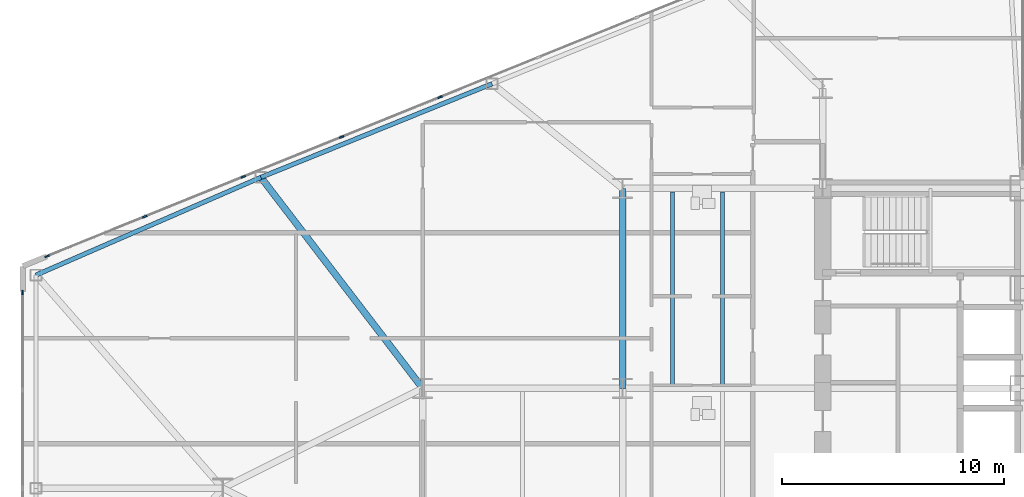
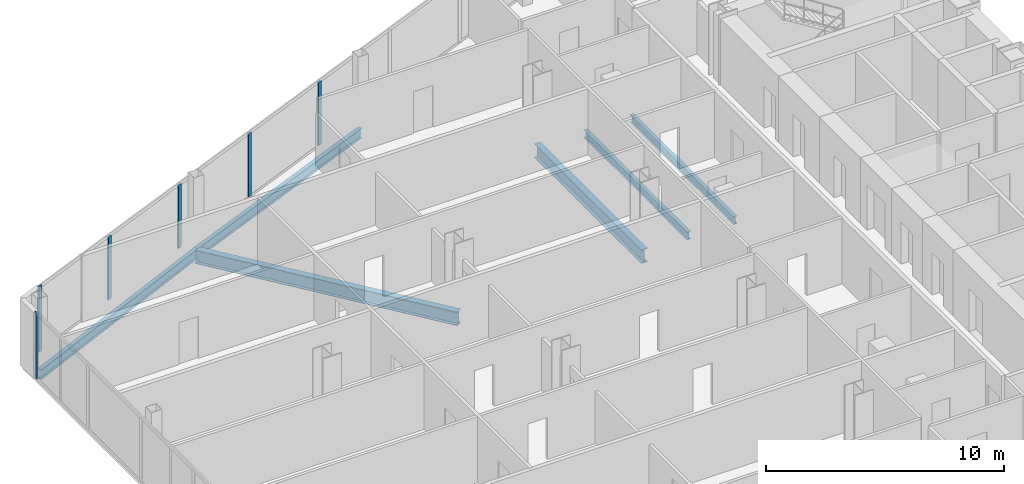
# One storey, part 6 of 25: 6 beams, 6 members, 2 elements without a shape of their own.
"""IFC4 building model written with IfcOpenShell, lengths in metres."""

from ifc_helpers import new_model, si_unit, direction, frame, origin, origin_2d, place, context, subcontext, project, spatial, rectangle, i_section, extrude, source, transform, mapped, material, layer, layer_set, material_profile, profile_set, type_object, type_shapes, element, aggregate, save


model = new_model("IFC4")

# Units and contexts
model_context = context("Model", 3, precision=1e-05, world=origin(), true_north=direction((0.0, 1.0)))
body_context = subcontext(model_context, "Body", "Model", "MODEL_VIEW")
ifc_project = project(units=[si_unit("LENGTHUNIT", "METRE"), si_unit("AREAUNIT", "SQUARE_METRE"), si_unit("VOLUMEUNIT", "CUBIC_METRE"), si_unit("PLANEANGLEUNIT", "RADIAN"), si_unit("MASSUNIT", "GRAM", prefix="KILO")], contexts=[model_context])

# Site, building, storey
site_placement = place(None, origin())
site = spatial("IfcSite", under=ifc_project, at=site_placement, CompositionType="ELEMENT")
building_placement = place(site_placement, origin())
building = spatial("IfcBuilding", under=site, at=building_placement, Name="Seokmaru Belvedere", CompositionType="ELEMENT")
storey_placement = place(building_placement, frame((0.0, 0.0, 29.699951171875)))
storey = spatial("IfcBuildingStorey", under=building, at=storey_placement, Name="L07", CompositionType="ELEMENT", Elevation=29.699951171875)

# Beams
ifc_material_1 = material(Name="Steel SM355 (355 MPa)", Category="steel")
ifc_material_profile_1 = material_profile(ifc_material_1, i_section(OverallWidth=0.300048828125, OverallDepth=0.699951171875, WebThickness=0.012939453125, FlangeThickness=0.02392578125, at=origin_2d()), Name="H-700x300x13x24")
ifc_profile_set_1 = profile_set([ifc_material_profile_1], Name="Steel SM355 (355 MPa)")
beam_type_1 = type_object("IfcBeamType", Name="Primary Floor Girder H-700", PredefinedType="BEAM", material=ifc_profile_set_1)
shared_shape_1 = source(origin(), body_context, "Body", "SweptSolid", [
    extrude(i_section(OverallWidth=0.300048828125, OverallDepth=0.699951171875, WebThickness=0.012939453125, FlangeThickness=0.02392578125, at=origin_2d()), origin(), (0.0, 0.0, 1.0), 9.0),
])
beam_1_placement = place(storey_placement, frame((-45.5, 4.5, -0.570068359375), z_axis=(0.0, 1.0, 0.0), x_axis=(-1.0, 0.0, 0.0)))
element("IfcBeam", 1, at=beam_1_placement, inside=storey, type_object=beam_type_1, Name="L07 W Interior Grid Girder 3", PredefinedType="BEAM", context=body_context, shape_type="MappedRepresentation", body=[
    mapped(shared_shape_1, transform((0.0, 0.0, 0.0), scale=1.0)),
])
ifc_material_profile_2 = material_profile(ifc_material_1, i_section(OverallWidth=0.18505859375, OverallDepth=0.389892578125, WebThickness=0.008056640625, FlangeThickness=0.011962890625, at=origin_2d()), Name="H-390x185x8x12")
ifc_profile_set_2 = profile_set([ifc_material_profile_2], Name="Steel SM355 (355 MPa)")
beam_type_2 = type_object("IfcBeamType", Name="Secondary Floor Joist H-350", PredefinedType="JOIST", material=ifc_profile_set_2)
shared_shape_2 = source(origin(), body_context, "Body", "SweptSolid", [
    extrude(i_section(OverallWidth=0.18505859375, OverallDepth=0.389892578125, WebThickness=0.008056640625, FlangeThickness=0.011962890625, at=origin_2d()), origin(), (0.0, 0.0, 1.0), 8.68994140625),
])
type_shapes(beam_type_2, [shared_shape_2])
for number, where, z_axis, x_axis, name in (
    (2, (-43.25, 4.655029296875, -0.4150390625), (0.0, 1.0, 0.0), (-1.0, 0.0, 0.0), "L07 W Wing Inner Secondary Joist 2"),
    (3, (-41.0, 4.655029296875, -0.4150390625), (0.0, 1.0, 0.0), (-1.0, 0.0, 0.0), "L07 W Secondary Floor Joist 3"),
):
    element("IfcBeam", number, at=place(storey_placement, frame(where, z_axis=z_axis, x_axis=x_axis)), inside=storey, type_object=beam_type_2, Name=name, PredefinedType="JOIST", context=body_context, shape_type="MappedRepresentation", body=[
        mapped(shared_shape_2, transform((0.0, 0.0, 0.0), scale=1.0)),
    ])
ifc_material_profile_3 = material_profile(ifc_material_1, i_section(OverallWidth=0.199951171875, OverallDepth=0.5, WebThickness=0.010009765625, FlangeThickness=0.01611328125, at=origin_2d()), Name="H-500x200x10x16")
ifc_profile_set_3 = profile_set([ifc_material_profile_3], Name="Steel SM355 (355 MPa)")
beam_type_3 = type_object("IfcBeamType", Name="Perimeter Spandrel Beam H-500", PredefinedType="SPANDREL", material=ifc_profile_set_3)
shared_shape_3 = source(origin(), body_context, "Body", "SweptSolid", [
    extrude(i_section(OverallWidth=0.199951171875, OverallDepth=0.5, WebThickness=0.010009765625, FlangeThickness=0.01611328125, at=origin_2d()), origin(), (0.0, 0.0, 1.0), 11.220703125),
])
beam_2_placement = place(storey_placement, frame((-51.378173828125, 18.2041015625, -0.469970703125), z_axis=(-0.926944290816, -0.375198989503, 0.0), x_axis=(0.375198989503, -0.926944290816, 0.0)))
element("IfcBeam", 4, at=beam_2_placement, inside=storey, type_object=beam_type_3, Name="L07 W Faceted Flank Spandrel N-3", PredefinedType="SPANDREL", context=body_context, shape_type="MappedRepresentation", body=[
    mapped(shared_shape_3, transform((0.0, 0.0, 0.0), scale=1.0)),
])
shared_shape_4 = source(origin(), body_context, "Body", "SweptSolid", [
    extrude(i_section(OverallWidth=0.199951171875, OverallDepth=0.5, WebThickness=0.010009765625, FlangeThickness=0.01611328125, at=origin_2d()), origin(), (0.0, 0.0, 1.0), 11.035400390625),
])
type_shapes(beam_type_3, [shared_shape_3, shared_shape_4])
beam_3_placement = place(storey_placement, frame((-61.779052734375, 13.994140625, -0.469970703125), z_axis=(-0.917134058682, -0.398578873507, 0.0), x_axis=(0.398578873507, -0.917134058682, 0.0)))
element("IfcBeam", 5, at=beam_3_placement, inside=storey, type_object=beam_type_3, Name="L07 W Faceted Flank Spandrel N-4", PredefinedType="SPANDREL", context=body_context, shape_type="MappedRepresentation", body=[
    mapped(shared_shape_4, transform((0.0, 0.0, 0.0), scale=1.0)),
])
shared_shape_5 = source(origin(), body_context, "Body", "SweptSolid", [
    extrude(i_section(OverallWidth=0.300048828125, OverallDepth=0.699951171875, WebThickness=0.012939453125, FlangeThickness=0.02392578125, at=origin_2d()), origin(), (0.0, 0.0, 1.0), 11.96337890625),
])
type_shapes(beam_type_1, [shared_shape_1, shared_shape_5])
beam_4_placement = place(storey_placement, frame((-61.779052734375, 13.994140625, -0.570068359375), z_axis=(0.608442682624, -0.793597821294, 0.0), x_axis=(0.793597821294, 0.608442682624, 0.0)))
element("IfcBeam", 6, at=beam_4_placement, inside=storey, type_object=beam_type_1, Name="L07 W Flank Radial Floor Girder N-3", PredefinedType="BEAM", context=body_context, shape_type="MappedRepresentation", body=[
    mapped(shared_shape_5, transform((0.0, 0.0, 0.0), scale=1.0)),
])

# Curtain wall, member
ifc_material_2 = material(Name="Bronze Triple Insulating Glass", Category="glass")
ifc_layer = layer(ifc_material_2, 0.2099609375)
ifc_layer_set = layer_set([ifc_layer], Name="Bronze Triple Insulating Glass")
curtain_wall_type = type_object("IfcCurtainWallType", Name="Low-Rise Faceted Crystal Curtain Wall System CW-2", PredefinedType="NOTDEFINED", material=ifc_layer_set)
curtain_wall_1_placement = place(storey_placement, origin())
curtain_wall_1 = element("IfcCurtainWall", 7, at=curtain_wall_1_placement, inside=storey, type_object=curtain_wall_type, Name="L07 Curtain Wall WF3", PredefinedType="NOTDEFINED")
ifc_material_3 = material(Name="Anodised Bronze Aluminium", Category="aluminium")
ifc_material_profile_4 = material_profile(ifc_material_3, rectangle(XDim=0.074951171875, YDim=0.2099609375, at=origin_2d()), Name="CW-M-75x210")
ifc_profile_set_4 = profile_set([ifc_material_profile_4], Name="Anodised Bronze Aluminium")
member_type = type_object("IfcMemberType", Name="Bronze Unitised Mullion 75x210", PredefinedType="MULLION", material=ifc_profile_set_4)
shared_shape_6 = source(origin(), body_context, "Body", "SweptSolid", [
    extrude(rectangle(XDim=0.074951171875, YDim=0.2099609375, at=origin_2d()), origin(), (0.0, 0.0, 1.0), 3.380126953125),
])
member_1_placement = place(storey_placement, frame((-71.399169921875, 10.445556640625, 0.0), z_axis=(0.0, 0.0, 1.0), x_axis=(0.375192321888, -0.926946989637, 0.0)))
member_1 = element("IfcMember", 8, at=member_1_placement, type_object=member_type, Name="CW:L07:WF3 Mullion 10", PredefinedType="MULLION", context=body_context, shape_type="MappedRepresentation", body=[
    mapped(shared_shape_6, transform((0.0, 0.0, 0.0), scale=1.0)),
])

curtain_wall_2_placement = place(storey_placement, origin())
curtain_wall_2 = element("IfcCurtainWall", 9, at=curtain_wall_2_placement, inside=storey, type_object=curtain_wall_type, Name="L07 Curtain Wall WF4", PredefinedType="NOTDEFINED")
member_2_placement = place(storey_placement, frame((-72.5, 8.8125, 0.0), z_axis=(0.0, 0.0, 1.0), x_axis=(1.0, 0.0, 0.0)))
member_2 = element("IfcMember", 10, at=member_2_placement, type_object=member_type, Name="CW:L07:WF4 Mullion 1", PredefinedType="MULLION", context=body_context, shape_type="MappedRepresentation", body=[
    mapped(shared_shape_6, transform((0.0, 0.0, 0.0), scale=1.0)),
])
aggregate(curtain_wall_2, [member_2])

# Member
shared_shape_7 = source(origin(), body_context, "Body", "SweptSolid", [
    extrude(rectangle(XDim=0.074951171875, YDim=0.2099609375, at=origin_2d()), origin(), (0.0, 0.0, 1.0), 3.239990234375),
])
type_shapes(member_type, [shared_shape_6, shared_shape_7])
member_3_placement = place(storey_placement, frame((-53.71484375, 17.603515625, 0.070068359375), z_axis=(0.0, 0.0, 1.0), x_axis=(0.375192321888, -0.926946989637, 0.0)))
member_3 = element("IfcMember", 11, at=member_3_placement, type_object=member_type, Name="CW:L07:WF3 Mullion 6", PredefinedType="MULLION", context=body_context, shape_type="MappedRepresentation", body=[
    mapped(shared_shape_7, transform((0.0, 0.0, 0.0), scale=1.0)),
])

member_4_placement = place(storey_placement, frame((-58.144775390625, 15.810546875, 0.070068359375), z_axis=(0.0, 0.0, 1.0), x_axis=(0.375192321888, -0.926946989637, 0.0)))
member_4 = element("IfcMember", 12, at=member_4_placement, type_object=member_type, Name="CW:L07:WF3 Mullion 7", PredefinedType="MULLION", context=body_context, shape_type="MappedRepresentation", body=[
    mapped(shared_shape_7, transform((0.0, 0.0, 0.0), scale=1.0)),
])

member_5_placement = place(storey_placement, frame((-62.574462890625, 14.017578125, 0.070068359375), z_axis=(0.0, 0.0, 1.0), x_axis=(0.375192321888, -0.926946989637, 0.0)))
member_5 = element("IfcMember", 13, at=member_5_placement, type_object=member_type, Name="CW:L07:WF3 Mullion 8", PredefinedType="MULLION", context=body_context, shape_type="MappedRepresentation", body=[
    mapped(shared_shape_7, transform((0.0, 0.0, 0.0), scale=1.0)),
])

member_6_placement = place(storey_placement, frame((-67.004150390625, 12.224609375, 0.070068359375), z_axis=(0.0, 0.0, 1.0), x_axis=(0.375192321888, -0.926946989637, 0.0)))
member_6 = element("IfcMember", 14, at=member_6_placement, type_object=member_type, Name="CW:L07:WF3 Mullion 9", PredefinedType="MULLION", context=body_context, shape_type="MappedRepresentation", body=[
    mapped(shared_shape_7, transform((0.0, 0.0, 0.0), scale=1.0)),
])

aggregate(curtain_wall_1, [member_3, member_4, member_5, member_6, member_1])

save(model, "model.ifc")
